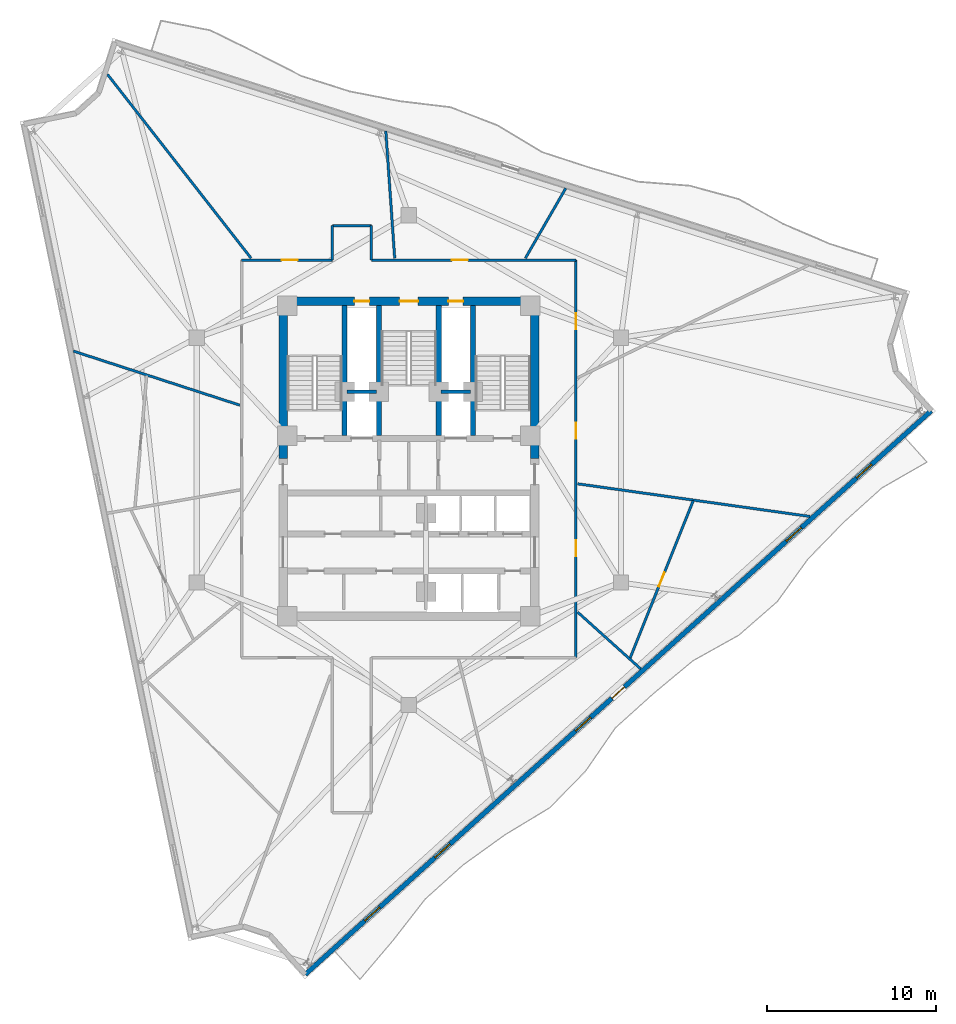
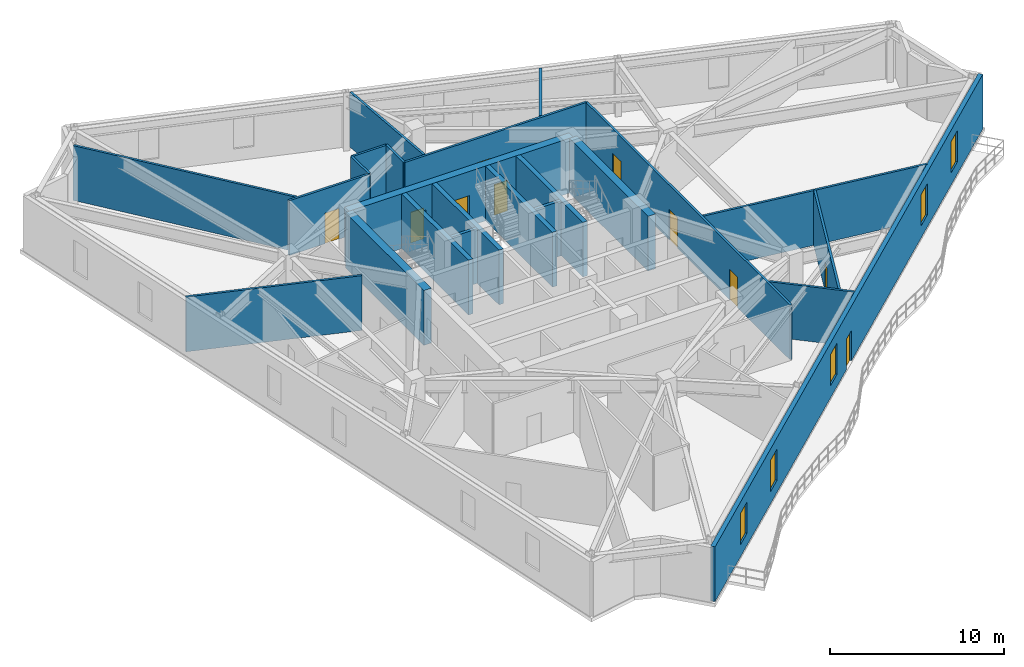
# One storey, part 7 of 11: 23 walls, 10 doors, 5 windows, 15 openings.
"""IFC4 building model written with IfcOpenShell, lengths in metres."""

from ifc_helpers import new_model, si_unit, direction, frame, frame_2d, origin, place, context, subcontext, project, spatial, rectangle, extrude, material, layer, layer_set, type_object, element, fill, save


model = new_model("IFC4")

# Units and contexts
model_context = context("Model", 3, precision=1e-05, world=origin(), true_north=direction((0.0, 1.0)))
body_context = subcontext(model_context, "Body", "Model", "MODEL_VIEW")
ifc_project = project(units=[si_unit("LENGTHUNIT", "METRE"), si_unit("AREAUNIT", "SQUARE_METRE"), si_unit("VOLUMEUNIT", "CUBIC_METRE"), si_unit("PLANEANGLEUNIT", "RADIAN"), si_unit("MASSUNIT", "GRAM", prefix="KILO")], contexts=[model_context])

# Site, building, storey
site_placement = place(None, origin())
site = spatial("IfcSite", under=ifc_project, at=site_placement, CompositionType="ELEMENT")
building_placement = place(site_placement, origin())
building = spatial("IfcBuilding", under=site, at=building_placement, Name="Apsidion Concourse Tower", CompositionType="ELEMENT")
storey_placement = place(building_placement, frame((0.0, 0.0, 236.300048828125)))
storey = spatial("IfcBuildingStorey", under=building, at=storey_placement, Name="L55", CompositionType="ELEMENT", Elevation=236.300048828125)

# Wall, openings, door, windows
ifc_material_1 = material(Name="Precast concrete C40/50", Category="concrete")
ifc_layer_1 = layer(ifc_material_1, 0.280029296875)
ifc_layer_set_1 = layer_set([ifc_layer_1], Name="Precast concrete C40/50")
wall_type_1 = type_object("IfcWallType", Name="WL-EXT-280", PredefinedType="STANDARD", material=ifc_layer_set_1)
wall_1_placement = place(storey_placement, frame((30.9345703125, 2.915771484375, 0.0), z_axis=(0.0, 0.0, 1.0), x_axis=(-0.743143233829, -0.66913237406, 0.0)))
wall_1 = element("IfcWall", 1, at=wall_1_placement, inside=storey, type_object=wall_type_1, Name="L55 Precast Stone Facade Wall 05", PredefinedType="STANDARD", context=body_context, shape_type="SweptSolid", body=[
    extrude(rectangle(XDim=49.8798828125, YDim=0.280029296875, at=frame_2d((24.93994140625, 0.0))), origin(), (0.0, 0.0, 1.0), 3.849853515625),
])
opening_1_placement = place(wall_1_placement, frame((24.43994140625, 0.0, 0.0)))
opening_1 = element("IfcOpeningElement", 2, at=opening_1_placement, cuts=wall_1, Name="Opening D-T1R", PredefinedType="OPENING", context=body_context, shape_type="SweptSolid", body=[
    extrude(rectangle(XDim=1.0, YDim=2.14990234375, at=frame_2d((0.5, 1.074951171875))), frame((0.0, 0.14990234375, 0.0), z_axis=(0.0, -1.0, 0.0), x_axis=(1.0, 0.0, 0.0)), (0.0, 0.0, 1.0), 0.300048828125),
])
opening_2_placement = place(wall_1_placement, frame((4.739990234375, 0.0, 0.85009765625)))
opening_2 = element("IfcOpeningElement", 3, at=opening_2_placement, cuts=wall_1, Name="Opening WN-06", PredefinedType="OPENING", context=body_context, shape_type="SweptSolid", body=[
    extrude(rectangle(XDim=1.199951171875, YDim=2.199951171875, at=frame_2d((0.60009765625, 1.10009765625))), frame((0.0, 0.14990234375, 0.0), z_axis=(0.0, -1.0, 0.0), x_axis=(1.0, 0.0, 0.0)), (0.0, 0.0, 1.0), 0.300048828125),
])
opening_3_placement = place(wall_1_placement, frame((10.33984375, 0.0, 0.85009765625)))
opening_3 = element("IfcOpeningElement", 4, at=opening_3_placement, cuts=wall_1, Name="Opening WN-06", PredefinedType="OPENING", context=body_context, shape_type="SweptSolid", body=[
    extrude(rectangle(XDim=1.199951171875, YDim=2.199951171875, at=frame_2d((0.60009765625, 1.10009765625))), frame((0.0, 0.14990234375, 0.0), z_axis=(0.0, -1.0, 0.0), x_axis=(1.0, 0.0, 0.0)), (0.0, 0.0, 1.0), 0.300048828125),
])
opening_4_placement = place(wall_1_placement, frame((27.139892578125, 0.0, 0.85009765625)))
opening_4 = element("IfcOpeningElement", 5, at=opening_4_placement, cuts=wall_1, Name="Opening WN-06", PredefinedType="OPENING", context=body_context, shape_type="SweptSolid", body=[
    extrude(rectangle(XDim=1.199951171875, YDim=2.199951171875, at=frame_2d((0.60009765625, 1.10009765625))), frame((0.0, 0.14990234375, 0.0), z_axis=(0.0, -1.0, 0.0), x_axis=(1.0, 0.0, 0.0)), (0.0, 0.0, 1.0), 0.300048828125),
])
opening_5_placement = place(wall_1_placement, frame((38.33984375, 0.0, 0.85009765625)))
opening_5 = element("IfcOpeningElement", 6, at=opening_5_placement, cuts=wall_1, Name="Opening WN-06", PredefinedType="OPENING", context=body_context, shape_type="SweptSolid", body=[
    extrude(rectangle(XDim=1.199951171875, YDim=2.199951171875, at=frame_2d((0.60009765625, 1.10009765625))), frame((0.0, 0.14990234375, 0.0), z_axis=(0.0, -1.0, 0.0), x_axis=(1.0, 0.0, 0.0)), (0.0, 0.0, 1.0), 0.300048828125),
])
opening_6_placement = place(wall_1_placement, frame((43.93994140625, 0.0, 0.85009765625)))
opening_6 = element("IfcOpeningElement", 7, at=opening_6_placement, cuts=wall_1, Name="Opening WN-06", PredefinedType="OPENING", context=body_context, shape_type="SweptSolid", body=[
    extrude(rectangle(XDim=1.199951171875, YDim=2.199951171875, at=frame_2d((0.60009765625, 1.10009765625))), frame((0.0, 0.14990234375, 0.0), z_axis=(0.0, -1.0, 0.0), x_axis=(1.0, 0.0, 0.0)), (0.0, 0.0, 1.0), 0.300048828125),
])
ifc_material_2 = material(Name="Anodised aluminium EN AW-6063 T6", Category="aluminium")
door_type_1 = type_object("IfcDoorType", Name="DR-TER-1022R", OperationType="SINGLE_SWING_RIGHT", PredefinedType="DOOR", material=ifc_material_2)
door_1_placement = place(opening_1_placement, origin())
door_1 = element("IfcDoor", 8, at=door_1_placement, inside=storey, type_object=door_type_1, Name="L55 Balcony Access Door 1", OperationType="SINGLE_SWING_RIGHT", OverallHeight=2.14990234375, OverallWidth=1.0, PredefinedType="DOOR", context=body_context, shape_type="SweptSolid", body=[
    extrude(rectangle(XDim=1.0, YDim=2.14990234375, at=frame_2d((0.5, 1.074951171875))), frame((0.0, 0.02490234375, 0.0), z_axis=(0.0, -1.0, 0.0), x_axis=(1.0, 0.0, 0.0)), (0.0, 0.0, 1.0), 0.050048828125),
])
fill(opening_1, door_1)
ifc_material_3 = material(Name="Insulated laminated low-E glass", Category="glass")
window_type = type_object("IfcWindowType", Name="WN-OFF-1224", PartitioningType="SINGLE_PANEL", PredefinedType="WINDOW", material=ifc_material_3)
window_1_placement = place(opening_2_placement, origin())
window_1 = element("IfcWindow", 9, at=window_1_placement, inside=storey, type_object=window_type, Name="L55 Punched Facade Window 5-01", OverallHeight=2.199951171875, OverallWidth=1.199951171875, PartitioningType="SINGLE_PANEL", PredefinedType="WINDOW", context=body_context, shape_type="SweptSolid", body=[
    extrude(rectangle(XDim=1.199951171875, YDim=2.199951171875, at=frame_2d((0.60009765625, 1.10009765625))), frame((0.0, 0.030029296875, 0.0), z_axis=(0.0, -1.0, 0.0), x_axis=(1.0, 0.0, 0.0)), (0.0, 0.0, 1.0), 0.06005859375),
])
fill(opening_2, window_1)
window_2_placement = place(opening_3_placement, origin())
window_2 = element("IfcWindow", 10, at=window_2_placement, inside=storey, type_object=window_type, Name="L55 Punched Facade Window 5-02", OverallHeight=2.199951171875, OverallWidth=1.199951171875, PartitioningType="SINGLE_PANEL", PredefinedType="WINDOW", context=body_context, shape_type="SweptSolid", body=[
    extrude(rectangle(XDim=1.199951171875, YDim=2.199951171875, at=frame_2d((0.60009765625, 1.10009765625))), frame((0.0, 0.030029296875, 0.0), z_axis=(0.0, -1.0, 0.0), x_axis=(1.0, 0.0, 0.0)), (0.0, 0.0, 1.0), 0.06005859375),
])
fill(opening_3, window_2)
window_3_placement = place(opening_4_placement, origin())
window_3 = element("IfcWindow", 11, at=window_3_placement, inside=storey, type_object=window_type, Name="L55 Punched Facade Window 5-05", OverallHeight=2.199951171875, OverallWidth=1.199951171875, PartitioningType="SINGLE_PANEL", PredefinedType="WINDOW", context=body_context, shape_type="SweptSolid", body=[
    extrude(rectangle(XDim=1.199951171875, YDim=2.199951171875, at=frame_2d((0.60009765625, 1.10009765625))), frame((0.0, 0.030029296875, 0.0), z_axis=(0.0, -1.0, 0.0), x_axis=(1.0, 0.0, 0.0)), (0.0, 0.0, 1.0), 0.06005859375),
])
fill(opening_4, window_3)
window_4_placement = place(opening_5_placement, origin())
window_4 = element("IfcWindow", 12, at=window_4_placement, inside=storey, type_object=window_type, Name="L55 Punched Facade Window 5-07", OverallHeight=2.199951171875, OverallWidth=1.199951171875, PartitioningType="SINGLE_PANEL", PredefinedType="WINDOW", context=body_context, shape_type="SweptSolid", body=[
    extrude(rectangle(XDim=1.199951171875, YDim=2.199951171875, at=frame_2d((0.60009765625, 1.10009765625))), frame((0.0, 0.030029296875, 0.0), z_axis=(0.0, -1.0, 0.0), x_axis=(1.0, 0.0, 0.0)), (0.0, 0.0, 1.0), 0.06005859375),
])
fill(opening_5, window_4)
window_5_placement = place(opening_6_placement, origin())
window_5 = element("IfcWindow", 13, at=window_5_placement, inside=storey, type_object=window_type, Name="L55 Punched Facade Window 5-08", OverallHeight=2.199951171875, OverallWidth=1.199951171875, PartitioningType="SINGLE_PANEL", PredefinedType="WINDOW", context=body_context, shape_type="SweptSolid", body=[
    extrude(rectangle(XDim=1.199951171875, YDim=2.199951171875, at=frame_2d((0.60009765625, 1.10009765625))), frame((0.0, 0.030029296875, 0.0), z_axis=(0.0, -1.0, 0.0), x_axis=(1.0, 0.0, 0.0)), (0.0, 0.0, 1.0), 0.06005859375),
])
fill(opening_6, window_5)

# Wall, opening, door
ifc_material_4 = material(Name="Gypsum plasterboard partition")
ifc_layer_2 = layer(ifc_material_4, 0.14990234375)
ifc_layer_set_2 = layer_set([ifc_layer_2], Name="Gypsum plasterboard partition")
wall_type_2 = type_object("IfcWallType", Name="WL-INT-PAR-150", PredefinedType="PARTITIONING", material=ifc_layer_set_2)
wall_2_placement = place(storey_placement, frame((-9.89990234375, 11.85009765625, 0.0), z_axis=(0.0, 0.0, 1.0), x_axis=(1.0, 0.0, 0.0)))
wall_2 = element("IfcWall", 14, at=wall_2_placement, inside=storey, type_object=wall_type_2, Name="L55 Interior Partition WL-L55-CORR-03", PredefinedType="PARTITIONING", context=body_context, shape_type="SweptSolid", body=[
    extrude(rectangle(XDim=5.369873046875, YDim=0.14990234375, at=frame_2d((2.68505859375, 0.0))), origin(), (0.0, 0.0, 1.0), 3.849853515625),
])
opening_7_placement = place(wall_2_placement, frame((2.362548828125, 0.0, 0.0)))
opening_7 = element("IfcOpeningElement", 15, at=opening_7_placement, cuts=wall_2, Name="Opening D-01L", PredefinedType="OPENING", context=body_context, shape_type="SweptSolid", body=[
    extrude(rectangle(XDim=0.949951171875, YDim=2.14990234375, at=frame_2d((0.47509765625, 1.074951171875))), frame((0.0, 0.0849609375, 0.0), z_axis=(0.0, -1.0, 0.0), x_axis=(1.0, 0.0, 0.0)), (0.0, 0.0, 1.0), 0.169921875),
])
ifc_material_5 = material(Name="Brushed stainless steel 316", Category="steel")
door_type_2 = type_object("IfcDoorType", Name="DR-INT-D01L", OperationType="SINGLE_SWING_LEFT", PredefinedType="DOOR", material=ifc_material_5)
door_2_placement = place(opening_7_placement, origin())
door_2 = element("IfcDoor", 16, at=door_2_placement, inside=storey, type_object=door_type_2, Name="L55 Corridor Entry Door 09", OperationType="SINGLE_SWING_LEFT", OverallHeight=2.14990234375, OverallWidth=0.949951171875, PredefinedType="DOOR", context=body_context, shape_type="SweptSolid", body=[
    extrude(rectangle(XDim=0.949951171875, YDim=2.14990234375, at=frame_2d((0.47509765625, 1.074951171875))), frame((0.0, 0.02490234375, 0.0), z_axis=(0.0, -1.0, 0.0), x_axis=(1.0, 0.0, 0.0)), (0.0, 0.0, 1.0), 0.050048828125),
])
fill(opening_7, door_2)

# Walls
wall_3_placement = place(storey_placement, frame((-4.530029296875, 11.85009765625, 0.0), z_axis=(0.0, 0.0, 1.0), x_axis=(0.0, 1.0, 0.0)))
element("IfcWall", 17, at=wall_3_placement, inside=storey, type_object=wall_type_2, Name="L55 Interior Partition WL-L55-CORR-04", PredefinedType="PARTITIONING", context=body_context, shape_type="SweptSolid", body=[
    extrude(rectangle(XDim=2.02978515625, YDim=0.14990234375, at=frame_2d((1.014892578125, 0.0))), origin(), (0.0, 0.0, 1.0), 3.849853515625),
])
wall_4_placement = place(storey_placement, frame((-4.530029296875, 13.8798828125, 0.0), z_axis=(0.0, 0.0, 1.0), x_axis=(1.0, 0.0, 0.0)))
element("IfcWall", 18, at=wall_4_placement, inside=storey, type_object=wall_type_2, Name="L55 Interior Partition WL-L55-CORR-05", PredefinedType="PARTITIONING", context=body_context, shape_type="SweptSolid", body=[
    extrude(rectangle(XDim=2.31005859375, YDim=0.14990234375, at=frame_2d((1.155029296875, 0.0))), origin(), (0.0, 0.0, 1.0), 3.849853515625),
])
wall_5_placement = place(storey_placement, frame((-2.219970703125, 13.8798828125, 0.0), z_axis=(0.0, 0.0, 1.0), x_axis=(0.0, -1.0, 0.0)))
element("IfcWall", 19, at=wall_5_placement, inside=storey, type_object=wall_type_2, Name="L55 Interior Partition WL-L55-CORR-06", PredefinedType="PARTITIONING", context=body_context, shape_type="SweptSolid", body=[
    extrude(rectangle(XDim=2.02978515625, YDim=0.14990234375, at=frame_2d((1.014892578125, 0.0))), origin(), (0.0, 0.0, 1.0), 3.849853515625),
])

# Wall, opening, door
wall_6_placement = place(storey_placement, frame((-2.219970703125, 11.85009765625, 0.0), z_axis=(0.0, 0.0, 1.0), x_axis=(1.0, 0.0, 0.0)))
wall_6 = element("IfcWall", 20, at=wall_6_placement, inside=storey, type_object=wall_type_2, Name="L55 Interior Partition WL-L55-CORR-07", PredefinedType="PARTITIONING", context=body_context, shape_type="SweptSolid", body=[
    extrude(rectangle(XDim=12.119873046875, YDim=0.14990234375, at=frame_2d((6.06005859375, 0.0))), origin(), (0.0, 0.0, 1.0), 3.849853515625),
])
opening_8_placement = place(wall_6_placement, frame((4.774169921875, 0.0, 0.0)))
opening_8 = element("IfcOpeningElement", 21, at=opening_8_placement, cuts=wall_6, Name="Opening D-01R", PredefinedType="OPENING", context=body_context, shape_type="SweptSolid", body=[
    extrude(rectangle(XDim=0.949951171875, YDim=2.14990234375, at=frame_2d((0.47509765625, 1.074951171875))), frame((0.0, 0.0849609375, 0.0), z_axis=(0.0, -1.0, 0.0), x_axis=(1.0, 0.0, 0.0)), (0.0, 0.0, 1.0), 0.169921875),
])
door_type_3 = type_object("IfcDoorType", Name="DR-INT-D01R", OperationType="SINGLE_SWING_RIGHT", PredefinedType="DOOR", material=ifc_material_5)
door_3_placement = place(opening_8_placement, origin())
door_3 = element("IfcDoor", 22, at=door_3_placement, inside=storey, type_object=door_type_3, Name="L55 Corridor Entry Door 08", OperationType="SINGLE_SWING_RIGHT", OverallHeight=2.14990234375, OverallWidth=0.949951171875, PredefinedType="DOOR", context=body_context, shape_type="SweptSolid", body=[
    extrude(rectangle(XDim=0.949951171875, YDim=2.14990234375, at=frame_2d((0.47509765625, 1.074951171875))), frame((0.0, 0.02490234375, 0.0), z_axis=(0.0, -1.0, 0.0), x_axis=(1.0, 0.0, 0.0)), (0.0, 0.0, 1.0), 0.050048828125),
])
fill(opening_8, door_3)

# Wall, openings, doors
wall_7_placement = place(storey_placement, frame((9.89990234375, 11.85009765625, 0.0), z_axis=(0.0, 0.0, 1.0), x_axis=(0.0, -1.0, 0.0)))
wall_7 = element("IfcWall", 23, at=wall_7_placement, inside=storey, type_object=wall_type_2, Name="L55 Interior Partition WL-L55-CORR-08", PredefinedType="PARTITIONING", context=body_context, shape_type="SweptSolid", body=[
    extrude(rectangle(XDim=23.550048828125, YDim=0.14990234375, at=frame_2d((11.77490234375, 0.0))), origin(), (0.0, 0.0, 1.0), 3.849853515625),
])
opening_9_placement = place(wall_7_placement, frame((16.584716796875, 0.0, 0.0)))
opening_9 = element("IfcOpeningElement", 24, at=opening_9_placement, cuts=wall_7, Name="Opening D-01L", PredefinedType="OPENING", context=body_context, shape_type="SweptSolid", body=[
    extrude(rectangle(XDim=0.949951171875, YDim=2.14990234375, at=frame_2d((0.47509765625, 1.074951171875))), frame((0.0, 0.0849609375, 0.0), z_axis=(0.0, -1.0, 0.0), x_axis=(1.0, 0.0, 0.0)), (0.0, 0.0, 1.0), 0.169921875),
])
opening_10_placement = place(wall_7_placement, frame((9.64208984375, 0.0, 0.0)))
opening_10 = element("IfcOpeningElement", 25, at=opening_10_placement, cuts=wall_7, Name="Opening D-01R", PredefinedType="OPENING", context=body_context, shape_type="SweptSolid", body=[
    extrude(rectangle(XDim=0.949951171875, YDim=2.14990234375, at=frame_2d((0.47509765625, 1.074951171875))), frame((0.0, 0.0849609375, 0.0), z_axis=(0.0, -1.0, 0.0), x_axis=(1.0, 0.0, 0.0)), (0.0, 0.0, 1.0), 0.169921875),
])
opening_11_placement = place(wall_7_placement, frame((3.139892578125, 0.0, 0.0)))
opening_11 = element("IfcOpeningElement", 26, at=opening_11_placement, cuts=wall_7, Name="Opening D-01L", PredefinedType="OPENING", context=body_context, shape_type="SweptSolid", body=[
    extrude(rectangle(XDim=0.949951171875, YDim=2.14990234375, at=frame_2d((0.47509765625, 1.074951171875))), frame((0.0, 0.0849609375, 0.0), z_axis=(0.0, -1.0, 0.0), x_axis=(1.0, 0.0, 0.0)), (0.0, 0.0, 1.0), 0.169921875),
])
door_4_placement = place(opening_9_placement, origin())
door_4 = element("IfcDoor", 27, at=door_4_placement, inside=storey, type_object=door_type_2, Name="L55 Corridor Entry Door 05", OperationType="SINGLE_SWING_LEFT", OverallHeight=2.14990234375, OverallWidth=0.949951171875, PredefinedType="DOOR", context=body_context, shape_type="SweptSolid", body=[
    extrude(rectangle(XDim=0.949951171875, YDim=2.14990234375, at=frame_2d((0.47509765625, 1.074951171875))), frame((0.0, 0.02490234375, 0.0), z_axis=(0.0, -1.0, 0.0), x_axis=(1.0, 0.0, 0.0)), (0.0, 0.0, 1.0), 0.050048828125),
])
fill(opening_9, door_4)
door_5_placement = place(opening_11_placement, origin())
door_5 = element("IfcDoor", 28, at=door_5_placement, inside=storey, type_object=door_type_2, Name="L55 Corridor Entry Door 07", OperationType="SINGLE_SWING_LEFT", OverallHeight=2.14990234375, OverallWidth=0.949951171875, PredefinedType="DOOR", context=body_context, shape_type="SweptSolid", body=[
    extrude(rectangle(XDim=0.949951171875, YDim=2.14990234375, at=frame_2d((0.47509765625, 1.074951171875))), frame((0.0, 0.02490234375, 0.0), z_axis=(0.0, -1.0, 0.0), x_axis=(1.0, 0.0, 0.0)), (0.0, 0.0, 1.0), 0.050048828125),
])
fill(opening_11, door_5)
door_6_placement = place(opening_10_placement, origin())
door_6 = element("IfcDoor", 29, at=door_6_placement, inside=storey, type_object=door_type_3, Name="L55 Corridor Entry Door 06", OperationType="SINGLE_SWING_RIGHT", OverallHeight=2.14990234375, OverallWidth=0.949951171875, PredefinedType="DOOR", context=body_context, shape_type="SweptSolid", body=[
    extrude(rectangle(XDim=0.949951171875, YDim=2.14990234375, at=frame_2d((0.47509765625, 1.074951171875))), frame((0.0, 0.02490234375, 0.0), z_axis=(0.0, -1.0, 0.0), x_axis=(1.0, 0.0, 0.0)), (0.0, 0.0, 1.0), 0.050048828125),
])
fill(opening_10, door_6)

# Walls
wall_8_placement = place(storey_placement, frame((6.902099609375, 11.955078125, 0.0), z_axis=(0.0, 0.0, 1.0), x_axis=(0.500009234706, 0.866020072059, 0.0)))
element("IfcWall", 30, at=wall_8_placement, inside=storey, type_object=wall_type_2, Name="L55 Interior Partition WL-L55-RAD-02-1", PredefinedType="PARTITIONING", context=body_context, shape_type="SweptSolid", body=[
    extrude(rectangle(XDim=4.7900390625, YDim=0.14990234375, at=frame_2d((2.39501953125, 0.0))), origin(), (0.0, 0.0, 1.0), 3.849853515625),
])
wall_9_placement = place(storey_placement, frame((-0.8359375, 11.955078125, 0.0), z_axis=(0.0, 0.0, 1.0), x_axis=(-0.069760607816, 0.997563761169, 0.0)))
element("IfcWall", 31, at=wall_9_placement, inside=storey, type_object=wall_type_2, Name="L55 Interior Partition WL-L55-RAD-03-1", PredefinedType="PARTITIONING", context=body_context, shape_type="SweptSolid", body=[
    extrude(rectangle(XDim=7.55224609375, YDim=0.14990234375, at=frame_2d((3.776123046875, 0.0))), origin(), (0.0, 0.0, 1.0), 3.849853515625),
])
wall_10_placement = place(storey_placement, frame((-9.34033203125, 11.955078125, 0.0), z_axis=(0.0, 0.0, 1.0), x_axis=(-0.615663582136, 0.788009107582, 0.0)))
element("IfcWall", 32, at=wall_10_placement, inside=storey, type_object=wall_type_2, Name="L55 Interior Partition WL-L55-RAD-04-1", PredefinedType="PARTITIONING", context=body_context, shape_type="SweptSolid", body=[
    extrude(rectangle(XDim=13.820068359375, YDim=0.14990234375, at=frame_2d((6.91015625, 0.0))), origin(), (0.0, 0.0, 1.0), 3.849853515625),
])
wall_11_placement = place(storey_placement, frame((-10.0048828125, 3.250732421875, 0.0), z_axis=(0.0, 0.0, 1.0), x_axis=(-0.951056724961, 0.309016352167, 0.0)))
element("IfcWall", 33, at=wall_11_placement, inside=storey, type_object=wall_type_2, Name="L55 Interior Partition WL-L55-RAD-05-1", PredefinedType="PARTITIONING", context=body_context, shape_type="SweptSolid", body=[
    extrude(rectangle(XDim=10.37255859375, YDim=0.14990234375, at=frame_2d((5.186279296875, 0.0))), origin(), (0.0, 0.0, 1.0), 3.849853515625),
])
wall_12_placement = place(storey_placement, frame((10.0048828125, -9.008544921875, 0.0), z_axis=(0.0, 0.0, 1.0), x_axis=(0.743153755308, -0.669120688644, 0.0)))
element("IfcWall", 34, at=wall_12_placement, inside=storey, type_object=wall_type_2, Name="L55 Interior Partition WL-L55-RAD-10-1", PredefinedType="PARTITIONING", context=body_context, shape_type="SweptSolid", body=[
    extrude(rectangle(XDim=5.015869140625, YDim=0.14990234375, at=frame_2d((2.5078125, 0.0))), origin(), (0.0, 0.0, 1.0), 3.849853515625),
])
wall_13_placement = place(storey_placement, frame((10.0048828125, -1.406005859375, 0.0), z_axis=(0.0, 0.0, 1.0), x_axis=(0.990266235932, -0.139186141457, 0.0)))
element("IfcWall", 35, at=wall_13_placement, inside=storey, type_object=wall_type_2, Name="L55 Interior Partition WL-L55-RAD-11-1", PredefinedType="PARTITIONING", context=body_context, shape_type="SweptSolid", body=[
    extrude(rectangle(XDim=13.886962890625, YDim=0.14990234375, at=frame_2d((6.943359375, 0.0))), origin(), (0.0, 0.0, 1.0), 3.849853515625),
])

# Wall, opening, door
wall_14_placement = place(storey_placement, frame((13.093994140625, -11.75634765625, 0.0), z_axis=(0.0, 0.0, 1.0), x_axis=(0.372320948008, 0.928104041406, 0.0)))
wall_14 = element("IfcWall", 36, at=wall_14_placement, inside=storey, type_object=wall_type_2, Name="L55 Interior Partition WL-L55-CHD-OFS04", PredefinedType="PARTITIONING", context=body_context, shape_type="SweptSolid", body=[
    extrude(rectangle(XDim=10.08837890625, YDim=0.14990234375, at=frame_2d((5.044189453125, 0.0))), origin(), (0.0, 0.0, 1.0), 3.849853515625),
])
opening_12_placement = place(wall_14_placement, frame((4.593994140625, 0.0, 0.0)))
opening_12 = element("IfcOpeningElement", 37, at=opening_12_placement, cuts=wall_14, Name="Opening D-02L", PredefinedType="OPENING", context=body_context, shape_type="SweptSolid", body=[
    extrude(rectangle(XDim=0.89990234375, YDim=2.10009765625, at=frame_2d((0.449951171875, 1.050048828125))), frame((0.0, 0.0849609375, 0.0), z_axis=(0.0, -1.0, 0.0), x_axis=(1.0, 0.0, 0.0)), (0.0, 0.0, 1.0), 0.169921875),
])
door_type_4 = type_object("IfcDoorType", Name="DR-INT-D02L", OperationType="SINGLE_SWING_LEFT", PredefinedType="DOOR", material=ifc_material_2)
door_7_placement = place(opening_12_placement, origin())
door_7 = element("IfcDoor", 38, at=door_7_placement, inside=storey, type_object=door_type_4, Name="L55 Suite Connecting Door OFS04", OperationType="SINGLE_SWING_LEFT", OverallHeight=2.10009765625, OverallWidth=0.89990234375, PredefinedType="DOOR", context=body_context, shape_type="SweptSolid", body=[
    extrude(rectangle(XDim=0.89990234375, YDim=2.10009765625, at=frame_2d((0.449951171875, 1.050048828125))), frame((0.0, 0.02490234375, 0.0), z_axis=(0.0, -1.0, 0.0), x_axis=(1.0, 0.0, 0.0)), (0.0, 0.0, 1.0), 0.050048828125),
])
fill(opening_12, door_7)

# Walls
ifc_layer_3 = layer(ifc_material_4, 0.199951171875)
ifc_layer_set_3 = layer_set([ifc_layer_3], Name="Gypsum plasterboard partition")
wall_type_3 = type_object("IfcWallType", Name="WL-INT-PAR-200", PredefinedType="PARTITIONING", material=ifc_layer_set_3)
for number, where, z_axis, x_axis, name in (
    (39, (-3.64990234375, 4.050048828125, 0.0), (0.0, 0.0, 1.0), (1.0, 0.0, 0.0), "L55 Interior Partition WL-L55-FF1-N"),
    (40, (1.919921875, 4.050048828125, 0.0), (0.0, 0.0, 1.0), (1.0, 0.0, 0.0), "L55 Interior Partition WL-L55-FF2-N"),
):
    element("IfcWall", number, at=place(storey_placement, frame(where, z_axis=z_axis, x_axis=x_axis)), inside=storey, type_object=wall_type_3, Name=name, PredefinedType="PARTITIONING", context=body_context, shape_type="SweptSolid", body=[
        extrude(rectangle(XDim=1.72998046875, YDim=0.199951171875, at=frame_2d((0.864990234375, 0.0))), origin(), (0.0, 0.0, 1.0), 3.849853515625),
    ])
ifc_material_6 = material(Name="Concrete C50/60", Category="concrete")
ifc_layer_4 = layer(ifc_material_6, 0.300048828125)
ifc_layer_set_4 = layer_set([ifc_layer_4], Name="Concrete C50/60")
wall_type_4 = type_object("IfcWallType", Name="WL-SH-300", PredefinedType="SHEAR", material=ifc_layer_set_4)
for number, where, z_axis, x_axis, name in (
    (41, (-3.800048828125, 1.449951171875, 0.0), (0.0, 0.0, 1.0), (0.0, 1.0, 0.0), "L55 Central Core Shear Wall V1"),
    (42, (-1.77490234375, 1.449951171875, 0.0), (0.0, 0.0, 1.0), (0.0, 1.0, 0.0), "L55 Central Core Shear Wall V2"),
    (43, (1.77490234375, 1.449951171875, 0.0), (0.0, 0.0, 1.0), (0.0, 1.0, 0.0), "L55 Central Core Shear Wall V3"),
    (44, (3.800048828125, 1.449951171875, 0.0), (0.0, 0.0, 1.0), (0.0, 1.0, 0.0), "L55 Central Core Shear Wall V4"),
):
    element("IfcWall", number, at=place(storey_placement, frame(where, z_axis=z_axis, x_axis=x_axis)), inside=storey, type_object=wall_type_4, Name=name, PredefinedType="SHEAR", context=body_context, shape_type="SweptSolid", body=[
        extrude(rectangle(XDim=7.699951171875, YDim=0.300048828125, at=frame_2d((3.85009765625, 0.0))), origin(), (0.0, 0.0, 1.0), 3.849853515625),
    ])

# Wall, openings, doors
ifc_layer_5 = layer(ifc_material_6, 0.5)
ifc_layer_set_5 = layer_set([ifc_layer_5], Name="Concrete C50/60")
wall_type_5 = type_object("IfcWallType", Name="WL-SH-500", PredefinedType="SHEAR", material=ifc_layer_set_5)
wall_15_placement = place(storey_placement, frame((-7.449951171875, 9.39990234375, 0.0), z_axis=(0.0, 0.0, 1.0), x_axis=(1.0, 0.0, 0.0)))
wall_15 = element("IfcWall", 45, at=wall_15_placement, inside=storey, type_object=wall_type_5, Name="L55 Central Core Shear Wall N", PredefinedType="SHEAR", context=body_context, shape_type="SweptSolid", body=[
    extrude(rectangle(XDim=14.89990234375, YDim=0.5, at=frame_2d((7.449951171875, 0.0))), origin(), (0.0, 0.0, 1.0), 3.849853515625),
])
opening_13_placement = place(wall_15_placement, frame((6.89990234375, 0.0, 0.0)))
opening_13 = element("IfcOpeningElement", 46, at=opening_13_placement, cuts=wall_15, Name="Opening D-STL", PredefinedType="OPENING", context=body_context, shape_type="SweptSolid", body=[
    extrude(rectangle(XDim=1.10009765625, YDim=2.14990234375, at=frame_2d((0.550048828125, 1.074951171875))), frame((0.0, 0.260009765625, 0.0), z_axis=(0.0, -1.0, 0.0), x_axis=(1.0, 0.0, 0.0)), (0.0, 0.0, 1.0), 0.52001953125),
])
opening_14_placement = place(wall_15_placement, frame((4.22998046875, 0.0, 0.0)))
opening_14 = element("IfcOpeningElement", 47, at=opening_14_placement, cuts=wall_15, Name="Opening D-05L", PredefinedType="OPENING", context=body_context, shape_type="SweptSolid", body=[
    extrude(rectangle(XDim=0.8798828125, YDim=2.14990234375, at=frame_2d((0.43994140625, 1.074951171875))), frame((0.0, 0.260009765625, 0.0), z_axis=(0.0, -1.0, 0.0), x_axis=(1.0, 0.0, 0.0)), (0.0, 0.0, 1.0), 0.52001953125),
])
opening_15_placement = place(wall_15_placement, frame((9.7900390625, 0.0, 0.0)))
opening_15 = element("IfcOpeningElement", 48, at=opening_15_placement, cuts=wall_15, Name="Opening D-05R", PredefinedType="OPENING", context=body_context, shape_type="SweptSolid", body=[
    extrude(rectangle(XDim=0.8798828125, YDim=2.14990234375, at=frame_2d((0.43994140625, 1.074951171875))), frame((0.0, 0.260009765625, 0.0), z_axis=(0.0, -1.0, 0.0), x_axis=(1.0, 0.0, 0.0)), (0.0, 0.0, 1.0), 0.52001953125),
])
door_type_5 = type_object("IfcDoorType", Name="DR-INT-D05L", OperationType="SINGLE_SWING_LEFT", PredefinedType="DOOR", material=ifc_material_5)
door_8_placement = place(opening_14_placement, origin())
door_8 = element("IfcDoor", 49, at=door_8_placement, inside=storey, type_object=door_type_5, Name="L55 Electrical Riser Shaft Access Door", OperationType="SINGLE_SWING_LEFT", OverallHeight=2.14990234375, OverallWidth=0.8798828125, PredefinedType="DOOR", context=body_context, shape_type="SweptSolid", body=[
    extrude(rectangle(XDim=0.8798828125, YDim=2.14990234375, at=frame_2d((0.43994140625, 1.074951171875))), frame((0.0, 0.02490234375, 0.0), z_axis=(0.0, -1.0, 0.0), x_axis=(1.0, 0.0, 0.0)), (0.0, 0.0, 1.0), 0.050048828125),
])
fill(opening_14, door_8)
door_type_6 = type_object("IfcDoorType", Name="DR-INT-D05R", OperationType="SINGLE_SWING_RIGHT", PredefinedType="DOOR", material=ifc_material_5)
door_9_placement = place(opening_15_placement, origin())
door_9 = element("IfcDoor", 50, at=door_9_placement, inside=storey, type_object=door_type_6, Name="L55 Mechanical Riser Shaft Access Door", OperationType="SINGLE_SWING_RIGHT", OverallHeight=2.14990234375, OverallWidth=0.8798828125, PredefinedType="DOOR", context=body_context, shape_type="SweptSolid", body=[
    extrude(rectangle(XDim=0.8798828125, YDim=2.14990234375, at=frame_2d((0.43994140625, 1.074951171875))), frame((0.0, 0.02490234375, 0.0), z_axis=(0.0, -1.0, 0.0), x_axis=(1.0, 0.0, 0.0)), (0.0, 0.0, 1.0), 0.050048828125),
])
fill(opening_15, door_9)
door_type_7 = type_object("IfcDoorType", Name="DR-INT-ST1L", OperationType="SINGLE_SWING_LEFT", PredefinedType="DOOR", material=ifc_material_5)
door_10_placement = place(opening_13_placement, origin())
door_10 = element("IfcDoor", 51, at=door_10_placement, inside=storey, type_object=door_type_7, Name="L55 Core Exit Stair ST3 Door", OperationType="SINGLE_SWING_LEFT", OverallHeight=2.14990234375, OverallWidth=1.10009765625, PredefinedType="DOOR", context=body_context, shape_type="SweptSolid", body=[
    extrude(rectangle(XDim=1.10009765625, YDim=2.14990234375, at=frame_2d((0.550048828125, 1.074951171875))), frame((0.0, 0.02490234375, 0.0), z_axis=(0.0, -1.0, 0.0), x_axis=(1.0, 0.0, 0.0)), (0.0, 0.0, 1.0), 0.050048828125),
])
fill(opening_13, door_10)

# Walls
for number, where, z_axis, x_axis, name in (
    (52, (-7.449951171875, 0.10009765625, 0.0), (0.0, 0.0, 1.0), (0.0, 1.0, 0.0), "L55 Central Core Shear Wall WN"),
    (53, (7.449951171875, 0.10009765625, 0.0), (0.0, 0.0, 1.0), (0.0, 1.0, 0.0), "L55 Central Core Shear Wall EN"),
):
    element("IfcWall", number, at=place(storey_placement, frame(where, z_axis=z_axis, x_axis=x_axis)), inside=storey, type_object=wall_type_5, Name=name, PredefinedType="SHEAR", context=body_context, shape_type="SweptSolid", body=[
        extrude(rectangle(XDim=9.0498046875, YDim=0.5, at=frame_2d((4.52490234375, 0.0))), origin(), (0.0, 0.0, 1.0), 3.849853515625),
    ])

save(model, "model.ifc")
